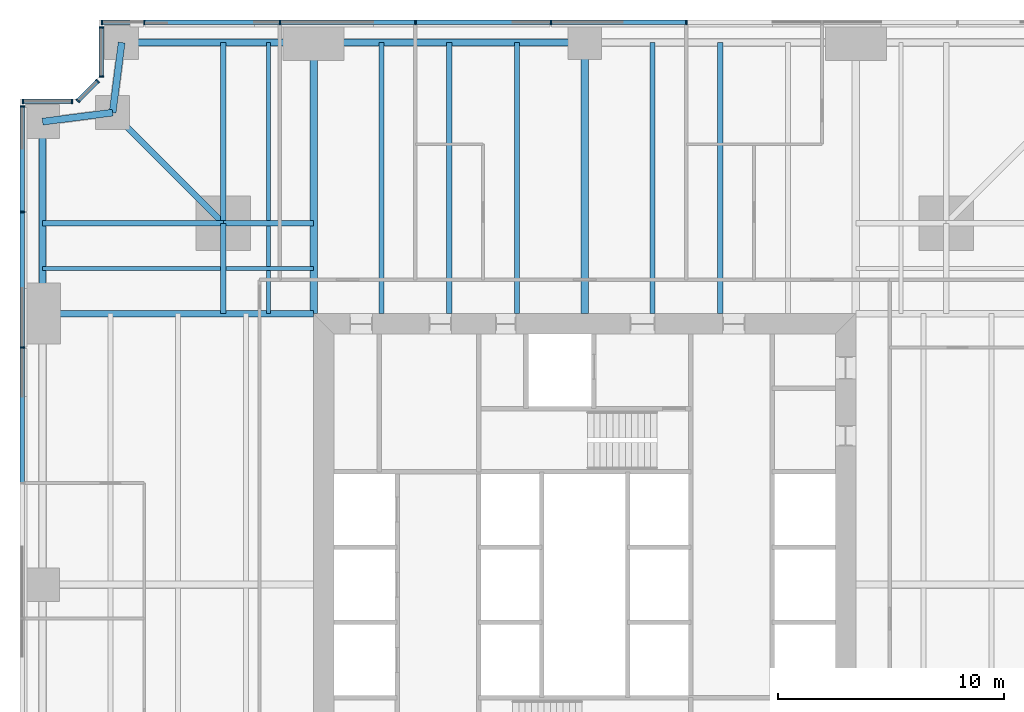
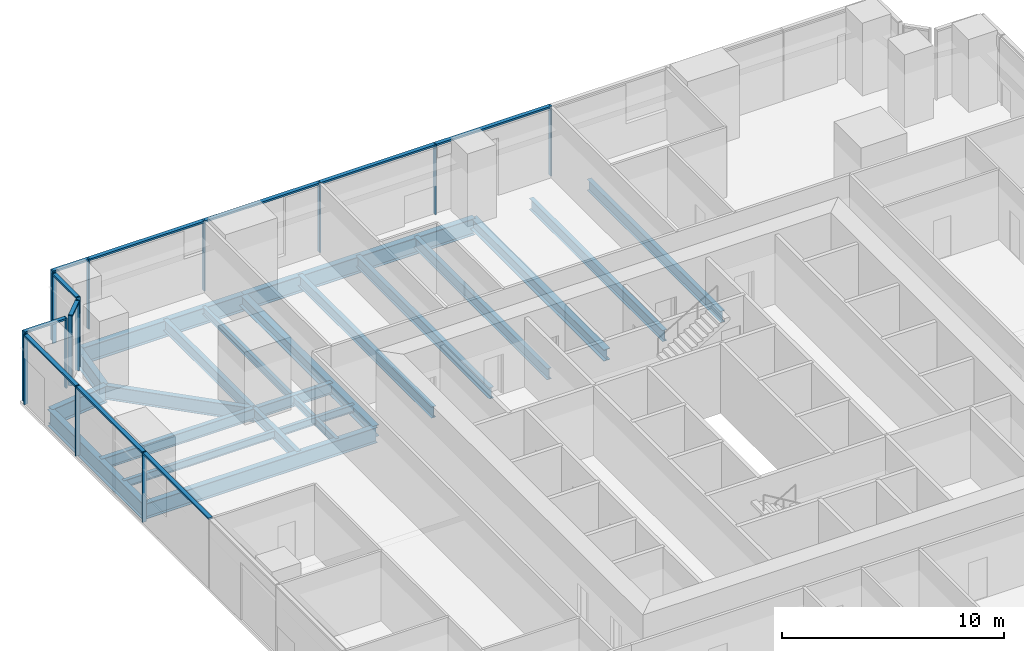
# One storey, part 6 of 14: 26 members, 23 beams, 5 elements without a shape of their own.
"""IFC4 building model written with IfcOpenShell, lengths in metres."""

from ifc_helpers import new_model, si_unit, direction, frame, origin, origin_2d, place, context, subcontext, project, spatial, rectangle, i_section, extrude, material, material_profile, profile_set, type_object, element, aggregate, save


model = new_model("IFC4")

# Units and contexts
model_context = context("Model", 3, precision=1e-05, world=origin(), true_north=direction((0.0, 1.0)))
body_context = subcontext(model_context, "Body", "Model", "MODEL_VIEW")
ifc_project = project(units=[si_unit("LENGTHUNIT", "METRE"), si_unit("AREAUNIT", "SQUARE_METRE"), si_unit("VOLUMEUNIT", "CUBIC_METRE"), si_unit("PLANEANGLEUNIT", "RADIAN"), si_unit("MASSUNIT", "GRAM", prefix="KILO")], contexts=[model_context])

# Site, building, storey
site_placement = place(None, origin())
site = spatial("IfcSite", under=ifc_project, at=site_placement, CompositionType="ELEMENT")
building_placement = place(site_placement, origin())
building = spatial("IfcBuilding", under=site, at=building_placement, Name="Fenwick Lantern Interchange", CompositionType="ELEMENT")
storey_placement = place(building_placement, frame((0.0, 0.0, 35.0)))
storey = spatial("IfcBuildingStorey", under=building, at=storey_placement, Name="L07", CompositionType="ELEMENT", Elevation=35.0)

# Beams
ifc_material_1 = material(Name="Steel ASTM A992 Grade 50", Category="steel")
ifc_material_profile_1 = material_profile(ifc_material_1, i_section(OverallWidth=0.3046875, OverallDepth=0.911865234375, WebThickness=0.015869140625, FlangeThickness=0.02392578125, at=origin_2d()), Name="W36X150")
ifc_profile_set_1 = profile_set([ifc_material_profile_1], Name="Steel ASTM A992 Grade 50")
beam_type_1 = type_object("IfcBeamType", Name="EDGE BEAM W36X150", PredefinedType="SPANDREL", material=ifc_profile_set_1)
beam_1_placement = place(storey_placement, frame((25.0, 49.0, -0.60595703125), z_axis=(-1.0, 0.0, 0.0), x_axis=(0.0, -1.0, 0.0)))
element("IfcBeam", 1, at=beam_1_placement, inside=storey, type_object=beam_type_1, Name="L07/FR/N/EB3", PredefinedType="SPANDREL", context=body_context, shape_type="SweptSolid", body=[
    extrude(i_section(OverallWidth=0.3046875, OverallDepth=0.911865234375, WebThickness=0.015869140625, FlangeThickness=0.02392578125, at=origin_2d()), origin(), (0.0, 0.0, 1.0), 12.0),
])
beam_2_placement = place(storey_placement, frame((13.0, 49.0, -0.60595703125), z_axis=(-1.0, 0.0, 0.0), x_axis=(0.0, -1.0, 0.0)))
element("IfcBeam", 2, at=beam_2_placement, inside=storey, type_object=beam_type_1, Name="L07/FR/N/EB4", PredefinedType="SPANDREL", context=body_context, shape_type="SweptSolid", body=[
    extrude(i_section(OverallWidth=0.3046875, OverallDepth=0.911865234375, WebThickness=0.015869140625, FlangeThickness=0.02392578125, at=origin_2d()), origin(), (0.0, 0.0, 1.0), 8.5),
])
for number, where, z_axis, x_axis, name in (
    (3, (4.5, 49.0, -0.60595703125), (-0.127936641807, -0.991782342897, 0.0), (0.991782342897, -0.127936641807, 0.0), "L07/FR/N/EBR1"),
    (4, (4.10009765625, 45.89990234375, -0.60595703125), (-0.991782342897, -0.127936641807, 0.0), (0.127936641807, -0.991782342897, 0.0), "L07/FR/N/EBR2"),
):
    element("IfcBeam", number, at=place(storey_placement, frame(where, z_axis=z_axis, x_axis=x_axis)), inside=storey, type_object=beam_type_1, Name=name, PredefinedType="SPANDREL", context=body_context, shape_type="SweptSolid", body=[
        extrude(i_section(OverallWidth=0.3046875, OverallDepth=0.911865234375, WebThickness=0.015869140625, FlangeThickness=0.02392578125, at=origin_2d()), origin(), (0.0, 0.0, 1.0), 3.125732421875),
    ])
beam_3_placement = place(storey_placement, frame((1.0, 45.5, -0.60595703125), z_axis=(0.0, -1.0, 0.0), x_axis=(1.0, 0.0, 0.0)))
element("IfcBeam", 5, at=beam_3_placement, inside=storey, type_object=beam_type_1, Name="L07/FR/W/EB1", PredefinedType="SPANDREL", context=body_context, shape_type="SweptSolid", body=[
    extrude(i_section(OverallWidth=0.3046875, OverallDepth=0.911865234375, WebThickness=0.015869140625, FlangeThickness=0.02392578125, at=origin_2d()), origin(), (0.0, 0.0, 1.0), 8.5),
])
ifc_material_profile_2 = material_profile(ifc_material_1, i_section(OverallWidth=0.22900390625, OverallDepth=0.612060546875, WebThickness=0.011962890625, FlangeThickness=0.01953125, at=origin_2d()), Name="W24X84")
ifc_profile_set_2 = profile_set([ifc_material_profile_2], Name="Steel ASTM A992 Grade 50")
beam_type_2 = type_object("IfcBeamType", Name="FLOOR BEAM W24X84", PredefinedType="BEAM", material=ifc_profile_set_2)
for number, where, z_axis, x_axis, name in (
    (6, (31.0, 49.0, -0.4560546875), (0.0, -1.0, 0.0), (1.0, 0.0, 0.0), "L07/FR/N/R03"),
    (7, (28.0, 49.0, -0.4560546875), (0.0, -1.0, 0.0), (1.0, 0.0, 0.0), "L07/FR/N/R04"),
    (8, (22.0, 49.0, -0.4560546875), (0.0, -1.0, 0.0), (1.0, 0.0, 0.0), "L07/FR/N/R06"),
    (9, (19.0, 49.0, -0.4560546875), (0.0, -1.0, 0.0), (1.0, 0.0, 0.0), "L07/FR/N/R07"),
    (10, (16.0, 49.0, -0.4560546875), (0.0, -1.0, 0.0), (1.0, 0.0, 0.0), "L07/FR/N/R08"),
):
    element("IfcBeam", number, at=place(storey_placement, frame(where, z_axis=z_axis, x_axis=x_axis)), inside=storey, type_object=beam_type_2, Name=name, PredefinedType="BEAM", context=body_context, shape_type="SweptSolid", body=[
        extrude(i_section(OverallWidth=0.22900390625, OverallDepth=0.612060546875, WebThickness=0.011962890625, FlangeThickness=0.01953125, at=origin_2d()), origin(), (0.0, 0.0, 1.0), 12.0),
    ])
ifc_material_profile_3 = material_profile(ifc_material_1, i_section(OverallWidth=0.177734375, OverallDepth=0.406494140625, WebThickness=0.0078125, FlangeThickness=0.012939453125, at=origin_2d()), Name="W16X40")
ifc_profile_set_3 = profile_set([ifc_material_profile_3], Name="Steel ASTM A992 Grade 50")
beam_type_3 = type_object("IfcBeamType", Name="INFILL BEAM W16X40", PredefinedType="JOIST", material=ifc_profile_set_3)
beam_4_placement = place(storey_placement, frame((1.0, 39.0, -0.353271484375), z_axis=(1.0, 0.0, 0.0), x_axis=(0.0, 1.0, 0.0)))
element("IfcBeam", 11, at=beam_4_placement, inside=storey, type_object=beam_type_3, Name="L07/FR/W/J1", PredefinedType="JOIST", context=body_context, shape_type="SweptSolid", body=[
    extrude(i_section(OverallWidth=0.177734375, OverallDepth=0.406494140625, WebThickness=0.0078125, FlangeThickness=0.012939453125, at=origin_2d()), origin(), (0.0, 0.0, 1.0), 7.885498046875),
])
beam_5_placement = place(storey_placement, frame((9.114501953125, 39.0, -0.353271484375), z_axis=(1.0, 0.0, 0.0), x_axis=(0.0, 1.0, 0.0)))
element("IfcBeam", 12, at=beam_5_placement, inside=storey, type_object=beam_type_3, Name="L07/FR/W/J2", PredefinedType="JOIST", context=body_context, shape_type="SweptSolid", body=[
    extrude(i_section(OverallWidth=0.177734375, OverallDepth=0.406494140625, WebThickness=0.0078125, FlangeThickness=0.012939453125, at=origin_2d()), origin(), (0.0, 0.0, 1.0), 3.885498046875),
])
beam_6_placement = place(storey_placement, frame((11.0, 49.0, -0.353271484375), z_axis=(0.0, -1.0, 0.0), x_axis=(1.0, 0.0, 0.0)))
element("IfcBeam", 13, at=beam_6_placement, inside=storey, type_object=beam_type_3, Name="L07/FR/W/J3", PredefinedType="JOIST", context=body_context, shape_type="SweptSolid", body=[
    extrude(i_section(OverallWidth=0.177734375, OverallDepth=0.406494140625, WebThickness=0.0078125, FlangeThickness=0.012939453125, at=origin_2d()), origin(), (0.0, 0.0, 1.0), 7.885498046875),
])
beam_7_placement = place(storey_placement, frame((11.0, 40.885498046875, -0.353271484375), z_axis=(0.0, -1.0, 0.0), x_axis=(1.0, 0.0, 0.0)))
element("IfcBeam", 14, at=beam_7_placement, inside=storey, type_object=beam_type_3, Name="L07/FR/W/J4", PredefinedType="JOIST", context=body_context, shape_type="SweptSolid", body=[
    extrude(i_section(OverallWidth=0.177734375, OverallDepth=0.406494140625, WebThickness=0.0078125, FlangeThickness=0.012939453125, at=origin_2d()), origin(), (0.0, 0.0, 1.0), 1.796630859375),
])
beam_8_placement = place(storey_placement, frame((11.0, 38.9111328125, -0.353271484375), z_axis=(0.0, -1.0, 0.0), x_axis=(1.0, 0.0, 0.0)))
element("IfcBeam", 15, at=beam_8_placement, inside=storey, type_object=beam_type_3, Name="L07/FR/W/J5", PredefinedType="JOIST", context=body_context, shape_type="SweptSolid", body=[
    extrude(i_section(OverallWidth=0.177734375, OverallDepth=0.406494140625, WebThickness=0.0078125, FlangeThickness=0.012939453125, at=origin_2d()), origin(), (0.0, 0.0, 1.0), 1.9111328125),
])
ifc_material_profile_4 = material_profile(ifc_material_1, i_section(OverallWidth=0.22900390625, OverallDepth=0.612060546875, WebThickness=0.011962890625, FlangeThickness=0.01953125, at=origin_2d()), Name="W24X84")
ifc_profile_set_4 = profile_set([ifc_material_profile_4], Name="Steel ASTM A992 Grade 50")
beam_type_4 = type_object("IfcBeamType", Name="MEGA COLUMN BEAM W24X84", PredefinedType="BEAM", material=ifc_profile_set_4)
for number, where, z_axis, x_axis, name in (
    (16, (9.0, 41.0, -0.4560546875), (-1.0, 0.0, 0.0), (0.0, -1.0, 0.0), "L07/FR/W/MB1"),
    (17, (9.0, 41.0, -0.4560546875), (0.0, 1.0, 0.0), (-1.0, 0.0, 0.0), "L07/FR/W/MB2"),
):
    element("IfcBeam", number, at=place(storey_placement, frame(where, z_axis=z_axis, x_axis=x_axis)), inside=storey, type_object=beam_type_4, Name=name, PredefinedType="BEAM", context=body_context, shape_type="SweptSolid", body=[
        extrude(i_section(OverallWidth=0.22900390625, OverallDepth=0.612060546875, WebThickness=0.011962890625, FlangeThickness=0.01953125, at=origin_2d()), origin(), (0.0, 0.0, 1.0), 8.0),
    ])
for number, where, z_axis, x_axis, name in (
    (18, (9.0, 41.0, -0.4560546875), (0.0, -1.0, 0.0), (1.0, 0.0, 0.0), "L07/FR/W/MB3"),
    (19, (9.0, 41.0, -0.4560546875), (1.0, 0.0, 0.0), (0.0, 1.0, 0.0), "L07/FR/W/MB4"),
):
    element("IfcBeam", number, at=place(storey_placement, frame(where, z_axis=z_axis, x_axis=x_axis)), inside=storey, type_object=beam_type_4, Name=name, PredefinedType="BEAM", context=body_context, shape_type="SweptSolid", body=[
        extrude(i_section(OverallWidth=0.22900390625, OverallDepth=0.612060546875, WebThickness=0.011962890625, FlangeThickness=0.01953125, at=origin_2d()), origin(), (0.0, 0.0, 1.0), 4.0),
    ])
ifc_material_profile_5 = material_profile(ifc_material_1, i_section(OverallWidth=0.32763671875, OverallDepth=0.622314453125, WebThickness=0.015380859375, FlangeThickness=0.0244140625, at=origin_2d()), Name="W24X131")
ifc_profile_set_5 = profile_set([ifc_material_profile_5], Name="Steel ASTM A992 Grade 50")
beam_type_5 = type_object("IfcBeamType", Name="MOMENT-CONNECTED GIRDER W24X131", PredefinedType="BEAM", material=ifc_profile_set_5)
for number, where, z_axis, x_axis, name in (
    (20, (25.0, 49.0, -0.461181640625), (0.0, -1.0, 0.0), (1.0, 0.0, 0.0), "L07/FR/N/R05"),
    (21, (13.0, 49.0, -0.461181640625), (0.0, -1.0, 0.0), (1.0, 0.0, 0.0), "L07/FR/N/R09"),
):
    element("IfcBeam", number, at=place(storey_placement, frame(where, z_axis=z_axis, x_axis=x_axis)), inside=storey, type_object=beam_type_5, Name=name, PredefinedType="BEAM", context=body_context, shape_type="SweptSolid", body=[
        extrude(i_section(OverallWidth=0.32763671875, OverallDepth=0.622314453125, WebThickness=0.015380859375, FlangeThickness=0.0244140625, at=origin_2d()), origin(), (0.0, 0.0, 1.0), 12.0),
    ])
ifc_material_profile_6 = material_profile(ifc_material_1, i_section(OverallWidth=0.2919921875, OverallDepth=0.845703125, WebThickness=0.015380859375, FlangeThickness=0.0244140625, at=origin_2d()), Name="W33X141")
ifc_profile_set_6 = profile_set([ifc_material_profile_6], Name="Steel ASTM A992 Grade 50")
beam_type_6 = type_object("IfcBeamType", Name="MOMENT-CONNECTED GIRDER W33X141", PredefinedType="BEAM", material=ifc_profile_set_6)
beam_9_placement = place(storey_placement, frame((1.0, 37.0, -0.572998046875), z_axis=(1.0, 0.0, 0.0), x_axis=(0.0, 1.0, 0.0)))
element("IfcBeam", 22, at=beam_9_placement, inside=storey, type_object=beam_type_6, Name="L07/FR/W/R01", PredefinedType="BEAM", context=body_context, shape_type="SweptSolid", body=[
    extrude(i_section(OverallWidth=0.2919921875, OverallDepth=0.845703125, WebThickness=0.015380859375, FlangeThickness=0.0244140625, at=origin_2d()), origin(), (0.0, 0.0, 1.0), 12.0),
])
ifc_material_profile_7 = material_profile(ifc_material_1, i_section(OverallWidth=0.2666015625, OverallDepth=0.7568359375, WebThickness=0.013916015625, FlangeThickness=0.019287109375, at=origin_2d()), Name="W30X108")
ifc_profile_set_7 = profile_set([ifc_material_profile_7], Name="Steel ASTM A992 Grade 50")
beam_type_7 = type_object("IfcBeamType", Name="NOTCH BEAM W30X108", PredefinedType="BEAM", material=ifc_profile_set_7)
beam_10_placement = place(storey_placement, frame((9.0, 41.0, -0.528564453125), z_axis=(-0.707106781187, 0.707106781187, 0.0), x_axis=(-0.707106781187, -0.707106781187, 0.0)))
element("IfcBeam", 23, at=beam_10_placement, inside=storey, type_object=beam_type_7, Name="L07/FR/W/TG", PredefinedType="BEAM", context=body_context, shape_type="SweptSolid", body=[
    extrude(i_section(OverallWidth=0.2666015625, OverallDepth=0.7568359375, WebThickness=0.013916015625, FlangeThickness=0.019287109375, at=origin_2d()), origin(), (0.0, 0.0, 1.0), 6.929443359375),
])

# Curtain wall, members
ifc_material_2 = material(Name="Aluminium curtain wall frame", Category="aluminium")
curtain_wall_type = type_object("IfcCurtainWallType", Name="OFFICE CURTAIN WALL", PredefinedType="USERDEFINED", material=ifc_material_2)
curtain_wall_1_placement = place(storey_placement, origin())
curtain_wall_1 = element("IfcCurtainWall", 24, at=curtain_wall_1_placement, inside=storey, type_object=curtain_wall_type, Name="Office curtain wall 09", ObjectType="OFFICE CURTAIN WALL", PredefinedType="USERDEFINED")
ifc_material_3 = material(Name="Aluminium extrusion", Category="aluminium")
ifc_material_profile_8 = material_profile(ifc_material_3, rectangle(XDim=0.199951171875, YDim=0.06494140625, at=origin_2d()), Name="OFFICE CURTAIN WALL MULLION 65 X 200")
ifc_profile_set_8 = profile_set([ifc_material_profile_8], Name="Aluminium extrusion")
member_type_1 = type_object("IfcMemberType", Name="OFFICE CURTAIN WALL MULLION 65 X 200", PredefinedType="MULLION", material=ifc_profile_set_8)
member_1_placement = place(storey_placement, frame((29.5, 49.89990234375, 0.0), z_axis=(0.0, 0.0, 1.0), x_axis=(0.0, -1.0, 0.0)))
member_1 = element("IfcMember", 25, at=member_1_placement, type_object=member_type_1, Name="L07/CW/09/M03", PredefinedType="MULLION", context=body_context, shape_type="SweptSolid", body=[
    extrude(rectangle(XDim=0.199951171875, YDim=0.06494140625, at=origin_2d()), origin(), (0.0, 0.0, 1.0), 3.85009765625),
])
member_2_placement = place(storey_placement, frame((23.5, 49.89990234375, 0.0), z_axis=(0.0, 0.0, 1.0), x_axis=(0.0, -1.0, 0.0)))
member_2 = element("IfcMember", 26, at=member_2_placement, type_object=member_type_1, Name="L07/CW/09/M04", PredefinedType="MULLION", context=body_context, shape_type="SweptSolid", body=[
    extrude(rectangle(XDim=0.199951171875, YDim=0.06494140625, at=origin_2d()), origin(), (0.0, 0.0, 1.0), 3.85009765625),
])
member_3_placement = place(storey_placement, frame((17.5, 49.89990234375, 0.0), z_axis=(0.0, 0.0, 1.0), x_axis=(0.0, -1.0, 0.0)))
member_3 = element("IfcMember", 27, at=member_3_placement, type_object=member_type_1, Name="L07/CW/09/M05", PredefinedType="MULLION", context=body_context, shape_type="SweptSolid", body=[
    extrude(rectangle(XDim=0.199951171875, YDim=0.06494140625, at=origin_2d()), origin(), (0.0, 0.0, 1.0), 3.85009765625),
])
member_4_placement = place(storey_placement, frame((11.5, 49.89990234375, 0.0), z_axis=(0.0, 0.0, 1.0), x_axis=(0.0, -1.0, 0.0)))
member_4 = element("IfcMember", 28, at=member_4_placement, type_object=member_type_1, Name="L07/CW/09/M06", PredefinedType="MULLION", context=body_context, shape_type="SweptSolid", body=[
    extrude(rectangle(XDim=0.199951171875, YDim=0.06494140625, at=origin_2d()), origin(), (0.0, 0.0, 1.0), 3.85009765625),
])
member_5_placement = place(storey_placement, frame((5.5, 49.89990234375, 0.0), z_axis=(0.0, 0.0, 1.0), x_axis=(0.0, -1.0, 0.0)))
member_5 = element("IfcMember", 29, at=member_5_placement, type_object=member_type_1, Name="L07/CW/09/M07", PredefinedType="MULLION", context=body_context, shape_type="SweptSolid", body=[
    extrude(rectangle(XDim=0.199951171875, YDim=0.06494140625, at=origin_2d()), origin(), (0.0, 0.0, 1.0), 3.85009765625),
])
member_6_placement = place(storey_placement, frame((3.632568359375, 49.89990234375, 0.0), z_axis=(0.0, 0.0, 1.0), x_axis=(0.0, -1.0, 0.0)))
member_6 = element("IfcMember", 30, at=member_6_placement, type_object=member_type_1, Name="L07/CW/09/M08", PredefinedType="MULLION", context=body_context, shape_type="SweptSolid", body=[
    extrude(rectangle(XDim=0.199951171875, YDim=0.06494140625, at=origin_2d()), origin(), (0.0, 0.0, 1.0), 3.85009765625),
])

curtain_wall_2_placement = place(storey_placement, origin())
curtain_wall_2 = element("IfcCurtainWall", 31, at=curtain_wall_2_placement, inside=storey, type_object=curtain_wall_type, Name="Office curtain wall 10", ObjectType="OFFICE CURTAIN WALL", PredefinedType="USERDEFINED")
member_7_placement = place(storey_placement, frame((3.60009765625, 49.66748046875, 0.0), z_axis=(0.0, 0.0, 1.0), x_axis=(1.0, 0.0, 0.0)))
member_7 = element("IfcMember", 32, at=member_7_placement, type_object=member_type_1, Name="L07/CW/10/M00", PredefinedType="MULLION", context=body_context, shape_type="SweptSolid", body=[
    extrude(rectangle(XDim=0.199951171875, YDim=0.06494140625, at=origin_2d()), origin(), (0.0, 0.0, 1.0), 3.85009765625),
])
member_8_placement = place(storey_placement, frame((3.60009765625, 47.490966796875, 0.0), z_axis=(0.0, 0.0, 1.0), x_axis=(1.0, 0.0, 0.0)))
member_8 = element("IfcMember", 33, at=member_8_placement, type_object=member_type_1, Name="L07/CW/10/M01", PredefinedType="MULLION", context=body_context, shape_type="SweptSolid", body=[
    extrude(rectangle(XDim=0.199951171875, YDim=0.06494140625, at=origin_2d()), origin(), (0.0, 0.0, 1.0), 3.85009765625),
])

curtain_wall_3_placement = place(storey_placement, origin())
curtain_wall_3 = element("IfcCurtainWall", 34, at=curtain_wall_3_placement, inside=storey, type_object=curtain_wall_type, Name="Office curtain wall 11", ObjectType="OFFICE CURTAIN WALL", PredefinedType="USERDEFINED")
member_9_placement = place(storey_placement, frame((3.435546875, 47.294189453125, 0.0), z_axis=(0.0, 0.0, 1.0), x_axis=(0.707106781187, -0.707106781187, 0.0)))
member_9 = element("IfcMember", 35, at=member_9_placement, type_object=member_type_1, Name="L07/CW/11/M00", PredefinedType="MULLION", context=body_context, shape_type="SweptSolid", body=[
    extrude(rectangle(XDim=0.199951171875, YDim=0.06494140625, at=origin_2d()), origin(), (0.0, 0.0, 1.0), 3.85009765625),
])
member_10_placement = place(storey_placement, frame((2.564453125, 46.423095703125, 0.0), z_axis=(0.0, 0.0, 1.0), x_axis=(0.707106781187, -0.707106781187, 0.0)))
member_10 = element("IfcMember", 36, at=member_10_placement, type_object=member_type_1, Name="L07/CW/11/M01", PredefinedType="MULLION", context=body_context, shape_type="SweptSolid", body=[
    extrude(rectangle(XDim=0.199951171875, YDim=0.06494140625, at=origin_2d()), origin(), (0.0, 0.0, 1.0), 3.85009765625),
])

curtain_wall_4_placement = place(storey_placement, origin())
curtain_wall_4 = element("IfcCurtainWall", 37, at=curtain_wall_4_placement, inside=storey, type_object=curtain_wall_type, Name="Office curtain wall 12", ObjectType="OFFICE CURTAIN WALL", PredefinedType="USERDEFINED")
member_11_placement = place(storey_placement, frame((2.308837890625, 46.39990234375, 0.0), z_axis=(0.0, 0.0, 1.0), x_axis=(0.0, -1.0, 0.0)))
member_11 = element("IfcMember", 38, at=member_11_placement, type_object=member_type_1, Name="L07/CW/12/M00", PredefinedType="MULLION", context=body_context, shape_type="SweptSolid", body=[
    extrude(rectangle(XDim=0.199951171875, YDim=0.06494140625, at=origin_2d()), origin(), (0.0, 0.0, 1.0), 3.85009765625),
])
member_12_placement = place(storey_placement, frame((0.132568359375, 46.39990234375, 0.0), z_axis=(0.0, 0.0, 1.0), x_axis=(0.0, -1.0, 0.0)))
member_12 = element("IfcMember", 39, at=member_12_placement, type_object=member_type_1, Name="L07/CW/12/M01", PredefinedType="MULLION", context=body_context, shape_type="SweptSolid", body=[
    extrude(rectangle(XDim=0.199951171875, YDim=0.06494140625, at=origin_2d()), origin(), (0.0, 0.0, 1.0), 3.85009765625),
])

curtain_wall_5_placement = place(storey_placement, origin())
curtain_wall_5 = element("IfcCurtainWall", 40, at=curtain_wall_5_placement, inside=storey, type_object=curtain_wall_type, Name="Office curtain wall 13", ObjectType="OFFICE CURTAIN WALL", PredefinedType="USERDEFINED")
member_13_placement = place(storey_placement, frame((0.10009765625, 46.16748046875, 0.0), z_axis=(0.0, 0.0, 1.0), x_axis=(1.0, 0.0, 0.0)))
member_13 = element("IfcMember", 41, at=member_13_placement, type_object=member_type_1, Name="L07/CW/13/M00", PredefinedType="MULLION", context=body_context, shape_type="SweptSolid", body=[
    extrude(rectangle(XDim=0.199951171875, YDim=0.06494140625, at=origin_2d()), origin(), (0.0, 0.0, 1.0), 3.85009765625),
])
member_14_placement = place(storey_placement, frame((0.10009765625, 41.5, 0.0), z_axis=(0.0, 0.0, 1.0), x_axis=(1.0, 0.0, 0.0)))
member_14 = element("IfcMember", 42, at=member_14_placement, type_object=member_type_1, Name="L07/CW/13/M01", PredefinedType="MULLION", context=body_context, shape_type="SweptSolid", body=[
    extrude(rectangle(XDim=0.199951171875, YDim=0.06494140625, at=origin_2d()), origin(), (0.0, 0.0, 1.0), 3.85009765625),
])
member_15_placement = place(storey_placement, frame((0.10009765625, 35.5, 0.0), z_axis=(0.0, 0.0, 1.0), x_axis=(1.0, 0.0, 0.0)))
member_15 = element("IfcMember", 43, at=member_15_placement, type_object=member_type_1, Name="L07/CW/13/M02", PredefinedType="MULLION", context=body_context, shape_type="SweptSolid", body=[
    extrude(rectangle(XDim=0.199951171875, YDim=0.06494140625, at=origin_2d()), origin(), (0.0, 0.0, 1.0), 3.85009765625),
])

# Member
ifc_material_profile_9 = material_profile(ifc_material_3, rectangle(XDim=0.199951171875, YDim=0.10009765625, at=origin_2d()), Name="OFFICE CURTAIN WALL TRANSOM 100 X 200")
ifc_profile_set_9 = profile_set([ifc_material_profile_9], Name="Aluminium extrusion")
member_type_2 = type_object("IfcMemberType", Name="OFFICE CURTAIN WALL TRANSOM 100 X 200", PredefinedType="MULLION", material=ifc_profile_set_9)
member_16_placement = place(storey_placement, frame((29.467529296875, 49.89990234375, 3.800048828125), z_axis=(-1.0, 0.0, 0.0), x_axis=(0.0, -1.0, 0.0)))
member_16 = element("IfcMember", 44, at=member_16_placement, type_object=member_type_2, Name="L07/CW/09/T03", PredefinedType="MULLION", context=body_context, shape_type="SweptSolid", body=[
    extrude(rectangle(XDim=0.199951171875, YDim=0.10009765625, at=origin_2d()), origin(), (0.0, 0.0, 1.0), 5.93505859375),
])

member_17_placement = place(storey_placement, frame((23.467529296875, 49.89990234375, 3.800048828125), z_axis=(-1.0, 0.0, 0.0), x_axis=(0.0, -1.0, 0.0)))
member_17 = element("IfcMember", 45, at=member_17_placement, type_object=member_type_2, Name="L07/CW/09/T04", PredefinedType="MULLION", context=body_context, shape_type="SweptSolid", body=[
    extrude(rectangle(XDim=0.199951171875, YDim=0.10009765625, at=origin_2d()), origin(), (0.0, 0.0, 1.0), 5.93505859375),
])

member_18_placement = place(storey_placement, frame((17.467529296875, 49.89990234375, 3.800048828125), z_axis=(-1.0, 0.0, 0.0), x_axis=(0.0, -1.0, 0.0)))
member_18 = element("IfcMember", 46, at=member_18_placement, type_object=member_type_2, Name="L07/CW/09/T05", PredefinedType="MULLION", context=body_context, shape_type="SweptSolid", body=[
    extrude(rectangle(XDim=0.199951171875, YDim=0.10009765625, at=origin_2d()), origin(), (0.0, 0.0, 1.0), 5.93505859375),
])

member_19_placement = place(storey_placement, frame((11.467529296875, 49.89990234375, 3.800048828125), z_axis=(-1.0, 0.0, 0.0), x_axis=(0.0, -1.0, 0.0)))
member_19 = element("IfcMember", 47, at=member_19_placement, type_object=member_type_2, Name="L07/CW/09/T06", PredefinedType="MULLION", context=body_context, shape_type="SweptSolid", body=[
    extrude(rectangle(XDim=0.199951171875, YDim=0.10009765625, at=origin_2d()), origin(), (0.0, 0.0, 1.0), 5.93505859375),
])

member_20_placement = place(storey_placement, frame((5.467529296875, 49.89990234375, 3.800048828125), z_axis=(-1.0, 0.0, 0.0), x_axis=(0.0, -1.0, 0.0)))
member_20 = element("IfcMember", 48, at=member_20_placement, type_object=member_type_2, Name="L07/CW/09/T07", PredefinedType="MULLION", context=body_context, shape_type="SweptSolid", body=[
    extrude(rectangle(XDim=0.199951171875, YDim=0.10009765625, at=origin_2d()), origin(), (0.0, 0.0, 1.0), 1.802490234375),
])

aggregate(curtain_wall_1, [member_1, member_2, member_3, member_4, member_5, member_6, member_16, member_17, member_18, member_19, member_20])

member_21_placement = place(storey_placement, frame((3.60009765625, 49.635009765625, 3.800048828125), z_axis=(0.0, -1.0, 0.0), x_axis=(1.0, 0.0, 0.0)))
member_21 = element("IfcMember", 49, at=member_21_placement, type_object=member_type_2, Name="L07/CW/10/T00", PredefinedType="MULLION", context=body_context, shape_type="SweptSolid", body=[
    extrude(rectangle(XDim=0.199951171875, YDim=0.10009765625, at=origin_2d()), origin(), (0.0, 0.0, 1.0), 2.111328125),
])

aggregate(curtain_wall_2, [member_7, member_8, member_21])

member_22_placement = place(storey_placement, frame((3.41259765625, 47.271240234375, 3.800048828125), z_axis=(-0.707106781187, -0.707106781187, 0.0), x_axis=(0.707106781187, -0.707106781187, 0.0)))
member_22 = element("IfcMember", 50, at=member_22_placement, type_object=member_type_2, Name="L07/CW/11/T00", PredefinedType="MULLION", context=body_context, shape_type="SweptSolid", body=[
    extrude(rectangle(XDim=0.199951171875, YDim=0.10009765625, at=origin_2d()), origin(), (0.0, 0.0, 1.0), 1.1669921875),
])

aggregate(curtain_wall_3, [member_9, member_10, member_22])

member_23_placement = place(storey_placement, frame((2.2763671875, 46.39990234375, 3.800048828125), z_axis=(-1.0, 0.0, 0.0), x_axis=(0.0, -1.0, 0.0)))
member_23 = element("IfcMember", 51, at=member_23_placement, type_object=member_type_2, Name="L07/CW/12/T00", PredefinedType="MULLION", context=body_context, shape_type="SweptSolid", body=[
    extrude(rectangle(XDim=0.199951171875, YDim=0.10009765625, at=origin_2d()), origin(), (0.0, 0.0, 1.0), 2.111328125),
])

aggregate(curtain_wall_4, [member_11, member_12, member_23])

member_24_placement = place(storey_placement, frame((0.10009765625, 46.135009765625, 3.800048828125), z_axis=(0.0, -1.0, 0.0), x_axis=(1.0, 0.0, 0.0)))
member_24 = element("IfcMember", 52, at=member_24_placement, type_object=member_type_2, Name="L07/CW/13/T00", PredefinedType="MULLION", context=body_context, shape_type="SweptSolid", body=[
    extrude(rectangle(XDim=0.199951171875, YDim=0.10009765625, at=origin_2d()), origin(), (0.0, 0.0, 1.0), 4.6025390625),
])

member_25_placement = place(storey_placement, frame((0.10009765625, 41.467529296875, 3.800048828125), z_axis=(0.0, -1.0, 0.0), x_axis=(1.0, 0.0, 0.0)))
member_25 = element("IfcMember", 53, at=member_25_placement, type_object=member_type_2, Name="L07/CW/13/T01", PredefinedType="MULLION", context=body_context, shape_type="SweptSolid", body=[
    extrude(rectangle(XDim=0.199951171875, YDim=0.10009765625, at=origin_2d()), origin(), (0.0, 0.0, 1.0), 5.93505859375),
])

member_26_placement = place(storey_placement, frame((0.10009765625, 35.467529296875, 3.800048828125), z_axis=(0.0, -1.0, 0.0), x_axis=(1.0, 0.0, 0.0)))
member_26 = element("IfcMember", 54, at=member_26_placement, type_object=member_type_2, Name="L07/CW/13/T02", PredefinedType="MULLION", context=body_context, shape_type="SweptSolid", body=[
    extrude(rectangle(XDim=0.199951171875, YDim=0.10009765625, at=origin_2d()), origin(), (0.0, 0.0, 1.0), 5.93505859375),
])

aggregate(curtain_wall_5, [member_13, member_14, member_15, member_24, member_25, member_26])

save(model, "model.ifc")
